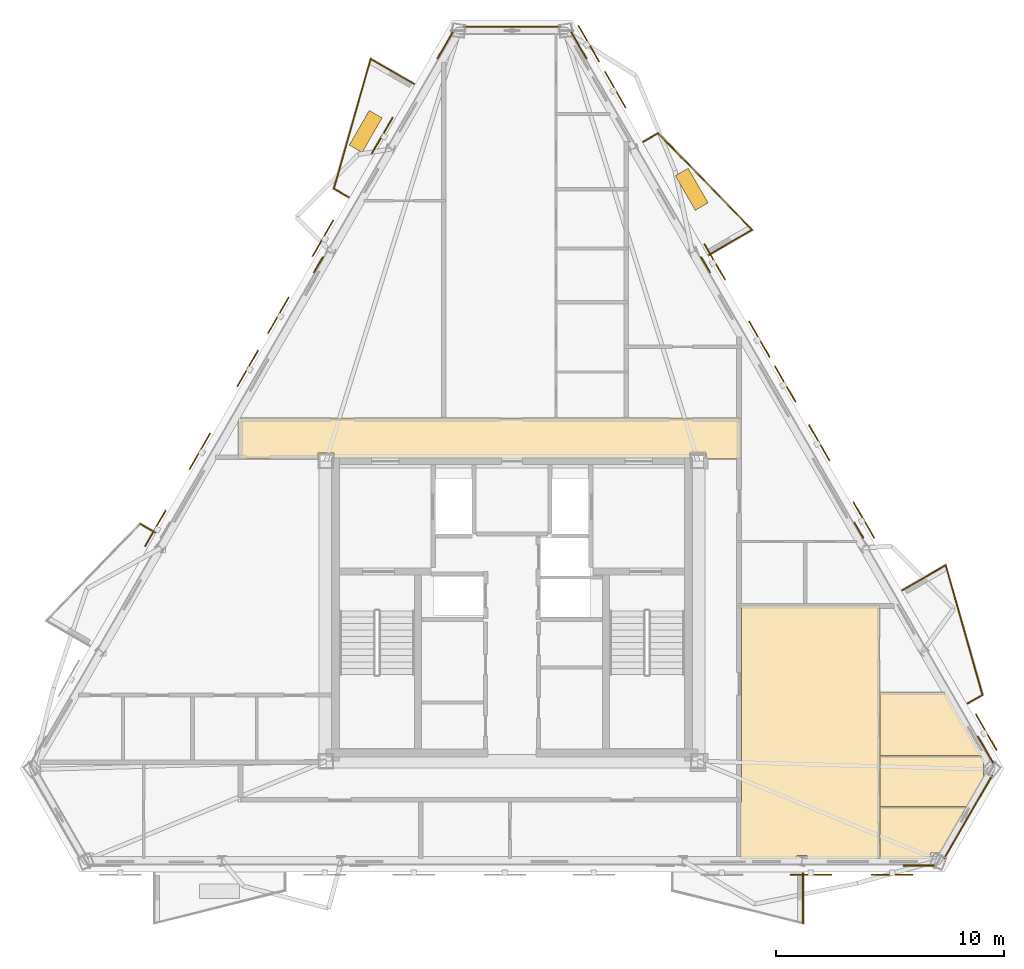
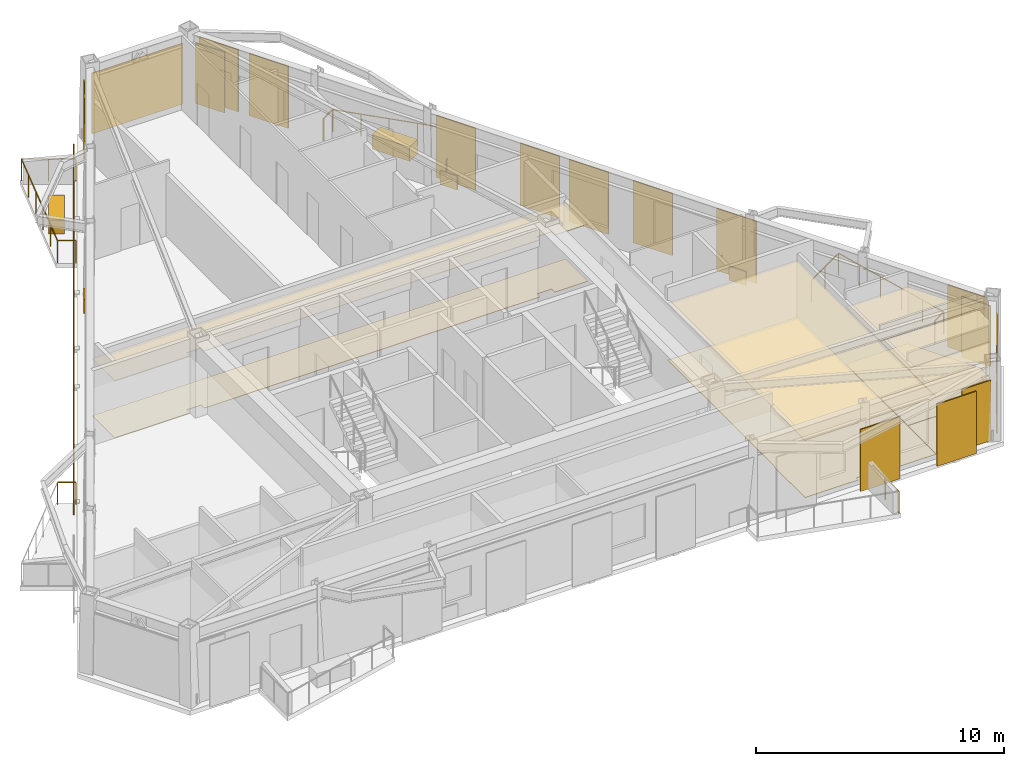
# One storey, part 9 of 9: 21 coverings, 16 shading devices, 11 railings.
"""IFC4 building model written with IfcOpenShell, lengths in metres."""

from ifc_helpers import new_model, si_unit, direction, frame, origin, origin_2d, place, context, subcontext, project, spatial, polyline, rectangle, circle, outline, extrude, material, layer, layer_set, type_object, element, save


model = new_model("IFC4")

# Units and contexts
model_context = context("Model", 3, precision=1e-05, world=origin(), true_north=direction((0.0, 1.0)))
body_context = subcontext(model_context, "Body", "Model", "MODEL_VIEW")
ifc_project = project(units=[si_unit("LENGTHUNIT", "METRE"), si_unit("AREAUNIT", "SQUARE_METRE"), si_unit("VOLUMEUNIT", "CUBIC_METRE"), si_unit("PLANEANGLEUNIT", "RADIAN"), si_unit("MASSUNIT", "GRAM", prefix="KILO")], contexts=[model_context])

# Site, building, storey
site_placement = place(None, origin())
site = spatial("IfcSite", under=ifc_project, at=site_placement, CompositionType="ELEMENT")
building_placement = place(site_placement, origin())
building = spatial("IfcBuilding", under=site, at=building_placement, Name="Oramaril Tower", CompositionType="ELEMENT")
storey_placement = place(building_placement, frame((0.0, 0.0, 273.300048828125)))
storey = spatial("IfcBuildingStorey", under=building, at=storey_placement, Name="L72", CompositionType="ELEMENT", Elevation=273.300048828125)

# Coverings
ifc_material_1 = material(Name="Mineral Fibre Acoustic Ceiling")
ifc_layer_1 = layer(ifc_material_1, 0.02001953125)
ifc_layer_set_1 = layer_set([ifc_layer_1], Name="CVT-CEIL")
covering_type_1 = type_object("IfcCoveringType", Name="CVT-CEIL", PredefinedType="CEILING", material=ifc_layer_set_1)
covering_1_placement = place(storey_placement, frame((0.0, 0.0, 2.81201171875)))
element("IfcCovering", 1, at=covering_1_placement, inside=storey, type_object=covering_type_1, Name="L72 Acoustic Suspended Ceiling 2", PredefinedType="CEILING", context=body_context, shape_type="SweptSolid", body=[
    extrude(outline(polyline([(47.530029296875, 24.239990234375), (45.9951171875, 24.239990234375), (45.9951171875, 24.4951171875), (45.304931640625, 24.4951171875), (45.304931640625, 24.25), (29.695068359375, 24.25), (29.695068359375, 24.4951171875), (29.0048828125, 24.4951171875), (29.0048828125, 24.239990234375), (25.52001953125, 24.239990234375), (25.52001953125, 26.050048828125), (47.530029296875, 26.050048828125), (47.530029296875, 24.239990234375)])), origin(), (0.0, 0.0, 1.0), 0.02001953125),
])
covering_2_placement = place(storey_placement, frame((0.0, 0.0, 2.81201171875)))
element("IfcCovering", 2, at=covering_2_placement, inside=storey, type_object=covering_type_1, Name="L72 Acoustic Suspended Ceiling 13", PredefinedType="CEILING", context=body_context, shape_type="SweptSolid", body=[
    extrude(outline(polyline([(53.60107421875, 17.842041015625), (53.60107421875, 6.7021484375), (50.4189453125, 6.7021484375), (50.4189453125, 6.859619140625), (49.989990234375, 6.859619140625), (49.989990234375, 6.7021484375), (47.511962890625, 6.7021484375), (47.511962890625, 9.199951171875), (47.530029296875, 9.199951171875), (47.531982421875, 9.2001953125), (47.533935546875, 9.200439453125), (47.535888671875, 9.200927734375), (47.53759765625, 9.201416015625), (47.539306640625, 9.202392578125), (47.541015625, 9.203369140625), (47.542724609375, 9.20458984375), (47.544189453125, 9.205810546875), (47.54541015625, 9.207275390625), (47.546630859375, 9.208984375), (47.547607421875, 9.210693359375), (47.548583984375, 9.21240234375), (47.549072265625, 9.214111328125), (47.549560546875, 9.216064453125), (47.5498046875, 9.218017578125), (47.550048828125, 9.219970703125), (47.550048828125, 11.030029296875), (47.5498046875, 11.031982421875), (47.549560546875, 11.033935546875), (47.549072265625, 11.035888671875), (47.548583984375, 11.03759765625), (47.547607421875, 11.039306640625), (47.54736328125, 11.0400390625), (47.547607421875, 11.04052734375), (47.548583984375, 11.042236328125), (47.549072265625, 11.044189453125), (47.549560546875, 11.046142578125), (47.5498046875, 11.048095703125), (47.550048828125, 11.050048828125), (47.550048828125, 17.842041015625), (53.60107421875, 17.842041015625)])), origin(), (0.0, 0.0, 1.0), 0.02001953125),
])
covering_3_placement = place(storey_placement, frame((0.0, 0.0, 2.81201171875)))
element("IfcCovering", 3, at=covering_3_placement, inside=storey, type_object=covering_type_1, Name="L72 Acoustic Suspended Ceiling 14", PredefinedType="CEILING", context=body_context, shape_type="SweptSolid", body=[
    extrude(outline(polyline([(56.265380859375, 6.97314453125), (55.851318359375, 6.97314453125), (55.851318359375, 6.7021484375), (53.62109375, 6.7021484375), (53.62109375, 8.99462890625), (57.4326171875, 8.99462890625), (56.265380859375, 6.97314453125)])), origin(), (0.0, 0.0, 1.0), 0.02001953125),
])
covering_4_placement = place(storey_placement, frame((0.0, 0.0, 2.81201171875)))
element("IfcCovering", 4, at=covering_4_placement, inside=storey, type_object=covering_type_1, Name="L72 Acoustic Suspended Ceiling 15", PredefinedType="CEILING", context=body_context, shape_type="SweptSolid", body=[
    extrude(outline(polyline([(58.22265625, 11.0029296875), (58.172607421875, 11.0029296875), (58.172607421875, 10.3134765625), (58.194091796875, 10.3134765625), (57.442626953125, 9.011962890625), (57.442138671875, 9.01220703125), (57.440185546875, 9.012939453125), (57.4384765625, 9.013671875), (57.4365234375, 9.01416015625), (57.4345703125, 9.014404296875), (57.4326171875, 9.0146484375), (53.62109375, 9.0146484375), (53.62109375, 11.219970703125), (58.097412109375, 11.219970703125), (58.22265625, 11.0029296875)])), origin(), (0.0, 0.0, 1.0), 0.02001953125),
])
covering_5_placement = place(storey_placement, frame((0.0, 0.0, 2.81201171875)))
element("IfcCovering", 5, at=covering_5_placement, inside=storey, type_object=covering_type_1, Name="L72 Acoustic Suspended Ceiling 16", PredefinedType="CEILING", context=body_context, shape_type="SweptSolid", body=[
    extrude(outline(polyline([(58.085693359375, 11.239990234375), (53.62109375, 11.239990234375), (53.62109375, 14.013916015625), (56.484375, 14.013916015625), (58.085693359375, 11.239990234375)])), origin(), (0.0, 0.0, 1.0), 0.02001953125),
])
ifc_material_2 = material(Name="Warm Cream Limestone", Category="masonry")
ifc_layer_2 = layer(ifc_material_2, 0.050048828125)
ifc_layer_set_2 = layer_set([ifc_layer_2], Name="CVT-CLD")
covering_type_2 = type_object("IfcCoveringType", Name="CVT-CLD", PredefinedType="CLADDING", material=ifc_layer_set_2)
covering_6_placement = place(storey_placement, frame((55.3212890625, 6.426025390625, 0.0400390625), z_axis=(0.0, 0.0, 1.0), x_axis=(1.0, 0.0, 0.0)))
element("IfcCovering", 6, at=covering_6_placement, inside=storey, type_object=covering_type_2, Name="L72 Warm Cream Limestone Cladding", PredefinedType="CLADDING", context=body_context, shape_type="SweptSolid", body=[
    extrude(rectangle(XDim=1.35009765625, YDim=0.050048828125, at=origin_2d()), origin(), (0.0, 0.0, 1.0), 2.97802734375),
])
covering_7_placement = place(storey_placement, frame((57.497314453125, 8.5546875, 0.0400390625), z_axis=(0.0, 0.0, 1.0), x_axis=(0.499995465495, 0.866028021766, 0.0)))
element("IfcCovering", 7, at=covering_7_placement, inside=storey, type_object=covering_type_2, Name="L72 Warm Cream Limestone Cladding", PredefinedType="CLADDING", context=body_context, shape_type="SweptSolid", body=[
    extrude(rectangle(XDim=4.221435546875, YDim=0.050048828125, at=origin_2d()), origin(), (0.0, 0.0, 1.0), 2.97802734375),
])
for number, where, z_axis, x_axis, name in (
    (8, (58.252685546875, 11.503173828125, 0.0400390625), (0.0, 0.0, 1.0), (-0.4999984885, 0.866026276448, 0.0), "L72 Warm Cream Limestone Cladding"),
    (9, (40.43115234375, 42.370849609375, 0.0400390625), (0.0, 0.0, 1.0), (-0.4999984885, 0.866026276448, 0.0), "L72 Warm Cream Limestone Cladding"),
):
    element("IfcCovering", number, at=place(storey_placement, frame(where, z_axis=z_axis, x_axis=x_axis)), inside=storey, type_object=covering_type_2, Name=name, PredefinedType="CLADDING", context=body_context, shape_type="SweptSolid", body=[
        extrude(rectangle(XDim=1.35009765625, YDim=0.050048828125, at=origin_2d()), origin(), (0.0, 0.0, 1.0), 2.97802734375),
    ])
for number, where, z_axis, x_axis, name in (
    (10, (52.70263671875, 21.11572265625, 0.0400390625), (0.0, 0.0, 1.0), (-0.4999984885, 0.866026276448, 0.0), "L72 Warm Cream Limestone Spandrel Cladding"),
    (11, (45.98095703125, 32.758056640625, 0.0400390625), (0.0, 0.0, 1.0), (-0.4999984885, 0.866026276448, 0.0), "L72 Warm Cream Limestone Spandrel Cladding"),
):
    element("IfcCovering", number, at=place(storey_placement, frame(where, z_axis=z_axis, x_axis=x_axis)), inside=storey, type_object=covering_type_2, Name=name, PredefinedType="CLADDING", context=body_context, shape_type="SweptSolid", body=[
        extrude(rectangle(XDim=0.800048828125, YDim=0.050048828125, at=origin_2d()), origin(), (0.0, 0.0, 1.0), 0.679931640625),
    ])
covering_8_placement = place(storey_placement, frame((37.5, 43.19091796875, 0.0400390625), z_axis=(0.0, 0.0, 1.0), x_axis=(-1.0, 0.0, 0.0)))
element("IfcCovering", 12, at=covering_8_placement, inside=storey, type_object=covering_type_2, Name="L72 Warm Cream Limestone Cladding", PredefinedType="CLADDING", context=body_context, shape_type="SweptSolid", body=[
    extrude(rectangle(XDim=4.221435546875, YDim=0.050048828125, at=origin_2d()), origin(), (0.0, 0.0, 1.0), 2.97802734375),
])
covering_9_placement = place(storey_placement, frame((34.56884765625, 42.370849609375, 0.0400390625), z_axis=(0.0, 0.0, 1.0), x_axis=(-0.4999984885, -0.866026276448, 0.0)))
element("IfcCovering", 13, at=covering_9_placement, inside=storey, type_object=covering_type_2, Name="L72 Warm Cream Limestone Cladding", PredefinedType="CLADDING", context=body_context, shape_type="SweptSolid", body=[
    extrude(rectangle(XDim=1.35009765625, YDim=0.050048828125, at=origin_2d()), origin(), (0.0, 0.0, 1.0), 2.97802734375),
])
covering_10_placement = place(storey_placement, frame((29.01904296875, 32.758056640625, 0.0400390625), z_axis=(0.0, 0.0, 1.0), x_axis=(-0.4999984885, -0.866026276448, 0.0)))
element("IfcCovering", 14, at=covering_10_placement, inside=storey, type_object=covering_type_2, Name="L72 Warm Cream Limestone Spandrel Cladding", PredefinedType="CLADDING", context=body_context, shape_type="SweptSolid", body=[
    extrude(rectangle(XDim=0.800048828125, YDim=0.050048828125, at=origin_2d()), origin(), (0.0, 0.0, 1.0), 0.679931640625),
])
for number, where, z_axis, x_axis, name in (
    (15, (45.375732421875, 36.063720703125, 0.0), (0.0, 0.0, 1.0), (-0.4999984885, 0.866026276448, 0.0), "L72 Structural Tree Planter Box L72-BAL-NE2"),
    (16, (31.086669921875, 38.5966796875, 0.0), (0.0, 0.0, 1.0), (-0.4999984885, -0.866026276448, 0.0), "L72 Structural Tree Planter Box L72-BAL-NW1"),
):
    element("IfcCovering", number, at=place(storey_placement, frame(where, z_axis=z_axis, x_axis=x_axis)), inside=storey, type_object=covering_type_2, Name=name, PredefinedType="CLADDING", context=body_context, shape_type="SweptSolid", body=[
        extrude(rectangle(XDim=1.75, YDim=0.64990234375, at=origin_2d()), origin(), (0.0, 0.0, 1.0), 0.699951171875),
    ])
ifc_material_3 = material(Name="Honed Quartzite Stone Flooring", Category="masonry")
ifc_layer_3 = layer(ifc_material_3, 0.02490234375)
ifc_layer_set_3 = layer_set([ifc_layer_3], Name="CVT-FLR")
covering_type_3 = type_object("IfcCoveringType", Name="CVT-FLR", PredefinedType="FLOORING", material=ifc_layer_set_3)
covering_11_placement = place(storey_placement, origin())
element("IfcCovering", 17, at=covering_11_placement, inside=storey, type_object=covering_type_3, Name="L72 Honed Stone Floor Finish 2", PredefinedType="FLOORING", context=body_context, shape_type="SweptSolid", body=[
    extrude(outline(polyline([(47.530029296875, 24.239990234375), (45.9951171875, 24.239990234375), (45.9951171875, 24.4951171875), (45.304931640625, 24.4951171875), (45.304931640625, 24.25), (29.695068359375, 24.25), (29.695068359375, 24.4951171875), (29.0048828125, 24.4951171875), (29.0048828125, 24.239990234375), (25.52001953125, 24.239990234375), (25.52001953125, 26.050048828125), (47.530029296875, 26.050048828125), (47.530029296875, 24.239990234375)])), origin(), (0.0, 0.0, 1.0), 0.02490234375),
])
covering_12_placement = place(storey_placement, origin())
element("IfcCovering", 18, at=covering_12_placement, inside=storey, type_object=covering_type_3, Name="L72 Honed Stone Floor Finish 13", PredefinedType="FLOORING", context=body_context, shape_type="SweptSolid", body=[
    extrude(outline(polyline([(53.60107421875, 17.842041015625), (53.60107421875, 6.7021484375), (50.4189453125, 6.7021484375), (50.4189453125, 6.859619140625), (49.989990234375, 6.859619140625), (49.989990234375, 6.7021484375), (47.511962890625, 6.7021484375), (47.511962890625, 9.199951171875), (47.530029296875, 9.199951171875), (47.531982421875, 9.2001953125), (47.533935546875, 9.200439453125), (47.535888671875, 9.200927734375), (47.53759765625, 9.201416015625), (47.539306640625, 9.202392578125), (47.541015625, 9.203369140625), (47.542724609375, 9.20458984375), (47.544189453125, 9.205810546875), (47.54541015625, 9.207275390625), (47.546630859375, 9.208984375), (47.547607421875, 9.210693359375), (47.548583984375, 9.21240234375), (47.549072265625, 9.214111328125), (47.549560546875, 9.216064453125), (47.5498046875, 9.218017578125), (47.550048828125, 9.219970703125), (47.550048828125, 11.030029296875), (47.5498046875, 11.031982421875), (47.549560546875, 11.033935546875), (47.549072265625, 11.035888671875), (47.548583984375, 11.03759765625), (47.547607421875, 11.039306640625), (47.54736328125, 11.0400390625), (47.547607421875, 11.04052734375), (47.548583984375, 11.042236328125), (47.549072265625, 11.044189453125), (47.549560546875, 11.046142578125), (47.5498046875, 11.048095703125), (47.550048828125, 11.050048828125), (47.550048828125, 17.842041015625), (53.60107421875, 17.842041015625)])), origin(), (0.0, 0.0, 1.0), 0.02490234375),
])
covering_13_placement = place(storey_placement, origin())
element("IfcCovering", 19, at=covering_13_placement, inside=storey, type_object=covering_type_3, Name="L72 Honed Stone Floor Finish 14", PredefinedType="FLOORING", context=body_context, shape_type="SweptSolid", body=[
    extrude(outline(polyline([(56.265380859375, 6.97314453125), (55.851318359375, 6.97314453125), (55.851318359375, 6.7021484375), (53.62109375, 6.7021484375), (53.62109375, 8.99462890625), (57.4326171875, 8.99462890625), (56.265380859375, 6.97314453125)])), origin(), (0.0, 0.0, 1.0), 0.02490234375),
])
covering_14_placement = place(storey_placement, origin())
element("IfcCovering", 20, at=covering_14_placement, inside=storey, type_object=covering_type_3, Name="L72 Honed Stone Floor Finish 15", PredefinedType="FLOORING", context=body_context, shape_type="SweptSolid", body=[
    extrude(outline(polyline([(58.22265625, 11.0029296875), (58.172607421875, 11.0029296875), (58.172607421875, 10.3134765625), (58.194091796875, 10.3134765625), (57.442626953125, 9.011962890625), (57.442138671875, 9.01220703125), (57.440185546875, 9.012939453125), (57.4384765625, 9.013671875), (57.4365234375, 9.01416015625), (57.4345703125, 9.014404296875), (57.4326171875, 9.0146484375), (53.62109375, 9.0146484375), (53.62109375, 11.219970703125), (58.097412109375, 11.219970703125), (58.22265625, 11.0029296875)])), origin(), (0.0, 0.0, 1.0), 0.02490234375),
])
covering_15_placement = place(storey_placement, origin())
element("IfcCovering", 21, at=covering_15_placement, inside=storey, type_object=covering_type_3, Name="L72 Honed Stone Floor Finish 16", PredefinedType="FLOORING", context=body_context, shape_type="SweptSolid", body=[
    extrude(outline(polyline([(58.085693359375, 11.239990234375), (53.62109375, 11.239990234375), (53.62109375, 14.013916015625), (56.484375, 14.013916015625), (58.085693359375, 11.239990234375)])), origin(), (0.0, 0.0, 1.0), 0.02490234375),
])

# Railings
ifc_material_4 = material(Name="Stainless Steel 316L", Category="steel")
railing_type = type_object("IfcRailingType", Name="RLT-GRD", PredefinedType="GUARDRAIL", material=ifc_material_4)
railing_1_placement = place(storey_placement, frame((50.251953125, 6.086181640625, 0.0)))
element("IfcRailing", 22, at=railing_1_placement, inside=storey, type_object=railing_type, Name="L72 Balcony Guardrail L72-BAL-S2.1", PredefinedType="GUARDRAIL", context=body_context, shape_type="SweptSolid", body=[
    extrude(circle(Radius=0.02392578125, at=origin_2d()), frame((0.0, 0.0, 1.076171875), z_axis=(0.0, -1.0, 0.0), x_axis=(1.0, 0.0, 0.0)), (0.0, 0.0, 1.0), 2.192138671875),
    extrude(circle(Radius=0.02099609375, at=origin_2d()), origin(), (0.0, 0.0, 1.0), 1.052001953125),
    extrude(circle(Radius=0.02099609375, at=origin_2d()), frame((0.0, -1.09619140625, 0.0)), (0.0, 0.0, 1.0), 1.052001953125),
    extrude(circle(Radius=0.02099609375, at=origin_2d()), frame((0.0, -2.192138671875, 0.0)), (0.0, 0.0, 1.0), 1.052001953125),
])
railing_2_placement = place(storey_placement, frame((54.60986328125, 18.492431640625, 0.0)))
element("IfcRailing", 23, at=railing_2_placement, inside=storey, type_object=railing_type, Name="L72 Balcony Guardrail L72-BAL-NE1.1", PredefinedType="GUARDRAIL", context=body_context, shape_type="SweptSolid", body=[
    extrude(circle(Radius=0.02392578125, at=origin_2d()), frame((0.0, 0.0, 1.076171875), z_axis=(0.866048343933, 0.499960264392, 0.0), x_axis=(-0.499960264392, 0.866048343933, 0.0)), (0.0, 0.0, 1.0), 2.192138671875),
    extrude(circle(Radius=0.02099609375, at=origin_2d()), origin(), (0.0, 0.0, 1.0), 1.052001953125),
    extrude(circle(Radius=0.02099609375, at=origin_2d()), frame((0.94921875, 0.5478515625, 0.0)), (0.0, 0.0, 1.0), 1.052001953125),
    extrude(circle(Radius=0.02099609375, at=origin_2d()), frame((1.8984375, 1.095947265625, 0.0)), (0.0, 0.0, 1.0), 1.052001953125),
])
railing_3_placement = place(storey_placement, frame((56.50830078125, 19.58837890625, 0.0)))
element("IfcRailing", 24, at=railing_3_placement, inside=storey, type_object=railing_type, Name="L72 Balcony Guardrail L72-BAL-NE1.2", PredefinedType="GUARDRAIL", context=body_context, shape_type="SweptSolid", body=[
    extrude(circle(Radius=0.02392578125, at=origin_2d()), frame((0.0, 0.0, 1.076171875), z_axis=(0.272259686627, -0.962223811303, 0.0), x_axis=(0.962223811303, 0.272259686627, 0.0)), (0.0, 0.0, 1.0), 5.910400390625),
    extrude(circle(Radius=0.02099609375, at=origin_2d()), origin(), (0.0, 0.0, 1.0), 1.052001953125),
    extrude(circle(Radius=0.02099609375, at=origin_2d()), frame((0.32177734375, -1.137451171875, 0.0)), (0.0, 0.0, 1.0), 1.052001953125),
    extrude(circle(Radius=0.02099609375, at=origin_2d()), frame((0.6435546875, -2.27490234375, 0.0)), (0.0, 0.0, 1.0), 1.052001953125),
    extrude(circle(Radius=0.02099609375, at=origin_2d()), frame((0.965576171875, -3.412109375, 0.0)), (0.0, 0.0, 1.0), 1.052001953125),
    extrude(circle(Radius=0.02099609375, at=origin_2d()), frame((1.287353515625, -4.549560546875, 0.0)), (0.0, 0.0, 1.0), 1.052001953125),
    extrude(circle(Radius=0.02099609375, at=origin_2d()), frame((1.609130859375, -5.68701171875, 0.0)), (0.0, 0.0, 1.0), 1.052001953125),
])
railing_4_placement = place(storey_placement, frame((58.117431640625, 13.9013671875, 0.0)))
element("IfcRailing", 25, at=railing_4_placement, inside=storey, type_object=railing_type, Name="L72 Balcony Guardrail L72-BAL-NE1.3", PredefinedType="GUARDRAIL", context=body_context, shape_type="SweptSolid", body=[
    extrude(circle(Radius=0.02392578125, at=origin_2d()), frame((0.0, 0.0, 1.076171875), z_axis=(-0.865966403178, -0.500102178127, 0.0), x_axis=(0.500102178127, -0.865966403178, 0.0)), (0.0, 0.0, 1.0), 0.741943359375),
    extrude(circle(Radius=0.02099609375, at=origin_2d()), origin(), (0.0, 0.0, 1.0), 1.052001953125),
    extrude(circle(Radius=0.02099609375, at=origin_2d()), frame((-0.642578125, -0.37109375, 0.0)), (0.0, 0.0, 1.0), 1.052001953125),
])
railing_5_placement = place(storey_placement, frame((43.260498046875, 38.150390625, 0.0)))
element("IfcRailing", 26, at=railing_5_placement, inside=storey, type_object=railing_type, Name="L72 Balcony Guardrail L72-BAL-NE2.1", PredefinedType="GUARDRAIL", context=body_context, shape_type="SweptSolid", body=[
    extrude(circle(Radius=0.02392578125, at=origin_2d()), frame((0.0, 0.0, 1.076171875), z_axis=(0.865884080729, 0.500244698863, 0.0), x_axis=(-0.500244698863, 0.865884080729, 0.0)), (0.0, 0.0, 1.0), 0.741943359375),
    extrude(circle(Radius=0.02099609375, at=origin_2d()), origin(), (0.0, 0.0, 1.0), 1.052001953125),
    extrude(circle(Radius=0.02099609375, at=origin_2d()), frame((0.642333984375, 0.37109375, 0.0)), (0.0, 0.0, 1.0), 1.052001953125),
])
railing_6_placement = place(storey_placement, frame((43.90283203125, 38.521484375, 0.0)))
element("IfcRailing", 27, at=railing_6_placement, inside=storey, type_object=railing_type, Name="L72 Balcony Guardrail L72-BAL-NE2.2", PredefinedType="GUARDRAIL", context=body_context, shape_type="SweptSolid", body=[
    extrude(circle(Radius=0.02392578125, at=origin_2d()), frame((0.0, 0.0, 1.076171875), z_axis=(0.697186915353, -0.716889395277, 0.0), x_axis=(0.716889395277, 0.697186915353, 0.0)), (0.0, 0.0, 1.0), 5.91064453125),
    extrude(circle(Radius=0.02099609375, at=origin_2d()), origin(), (0.0, 0.0, 1.0), 1.052001953125),
    extrude(circle(Radius=0.02099609375, at=origin_2d()), frame((0.82421875, -0.847412109375, 0.0)), (0.0, 0.0, 1.0), 1.052001953125),
    extrude(circle(Radius=0.02099609375, at=origin_2d()), frame((1.6484375, -1.69482421875, 0.0)), (0.0, 0.0, 1.0), 1.052001953125),
    extrude(circle(Radius=0.02099609375, at=origin_2d()), frame((2.472412109375, -2.54248046875, 0.0)), (0.0, 0.0, 1.0), 1.052001953125),
    extrude(circle(Radius=0.02099609375, at=origin_2d()), frame((3.296630859375, -3.389892578125, 0.0)), (0.0, 0.0, 1.0), 1.052001953125),
    extrude(circle(Radius=0.02099609375, at=origin_2d()), frame((4.120849609375, -4.2373046875, 0.0)), (0.0, 0.0, 1.0), 1.052001953125),
])
railing_7_placement = place(storey_placement, frame((48.023681640625, 34.2841796875, 0.0)))
element("IfcRailing", 28, at=railing_7_placement, inside=storey, type_object=railing_type, Name="L72 Balcony Guardrail L72-BAL-NE2.3", PredefinedType="GUARDRAIL", context=body_context, shape_type="SweptSolid", body=[
    extrude(circle(Radius=0.02392578125, at=origin_2d()), frame((0.0, 0.0, 1.076171875), z_axis=(-0.866020500697, -0.5000084923, 0.0), x_axis=(0.5000084923, -0.866020500697, 0.0)), (0.0, 0.0, 1.0), 2.19189453125),
    extrude(circle(Radius=0.02099609375, at=origin_2d()), origin(), (0.0, 0.0, 1.0), 1.052001953125),
    extrude(circle(Radius=0.02099609375, at=origin_2d()), frame((-0.94921875, -0.5478515625, 0.0)), (0.0, 0.0, 1.0), 1.052001953125),
    extrude(circle(Radius=0.02099609375, at=origin_2d()), frame((-1.898193359375, -1.095947265625, 0.0)), (0.0, 0.0, 1.0), 1.052001953125),
])
railing_8_placement = place(storey_placement, frame((30.337158203125, 35.721435546875, 0.0)))
element("IfcRailing", 29, at=railing_8_placement, inside=storey, type_object=railing_type, Name="L72 Balcony Guardrail L72-BAL-NW1.1", PredefinedType="GUARDRAIL", context=body_context, shape_type="SweptSolid", body=[
    extrude(circle(Radius=0.02392578125, at=origin_2d()), frame((0.0, 0.0, 1.076171875), z_axis=(-0.866108878364, 0.499855389907, 0.0), x_axis=(-0.499855389907, -0.866108878364, 0.0)), (0.0, 0.0, 1.0), 0.741943359375),
    extrude(circle(Radius=0.02099609375, at=origin_2d()), origin(), (0.0, 0.0, 1.0), 1.052001953125),
    extrude(circle(Radius=0.02099609375, at=origin_2d()), frame((-0.642578125, 0.370849609375, 0.0)), (0.0, 0.0, 1.0), 1.052001953125),
])
railing_9_placement = place(storey_placement, frame((29.694580078125, 36.09228515625, 0.0)))
element("IfcRailing", 30, at=railing_9_placement, inside=storey, type_object=railing_type, Name="L72 Balcony Guardrail L72-BAL-NW1.2", PredefinedType="GUARDRAIL", context=body_context, shape_type="SweptSolid", body=[
    extrude(circle(Radius=0.02392578125, at=origin_2d()), frame((0.0, 0.0, 1.076171875), z_axis=(0.27224886544, 0.962226873074, 0.0), x_axis=(-0.962226873074, 0.27224886544, 0.0)), (0.0, 0.0, 1.0), 5.910400390625),
    extrude(circle(Radius=0.02099609375, at=origin_2d()), origin(), (0.0, 0.0, 1.0), 1.052001953125),
    extrude(circle(Radius=0.02099609375, at=origin_2d()), frame((0.32177734375, 1.137451171875, 0.0)), (0.0, 0.0, 1.0), 1.052001953125),
    extrude(circle(Radius=0.02099609375, at=origin_2d()), frame((0.6435546875, 2.27490234375, 0.0)), (0.0, 0.0, 1.0), 1.052001953125),
    extrude(circle(Radius=0.02099609375, at=origin_2d()), frame((0.965576171875, 3.412353515625, 0.0)), (0.0, 0.0, 1.0), 1.052001953125),
    extrude(circle(Radius=0.02099609375, at=origin_2d()), frame((1.287353515625, 4.5498046875, 0.0)), (0.0, 0.0, 1.0), 1.052001953125),
    extrude(circle(Radius=0.02099609375, at=origin_2d()), frame((1.609130859375, 5.687255859375, 0.0)), (0.0, 0.0, 1.0), 1.052001953125),
])
railing_10_placement = place(storey_placement, frame((31.3037109375, 41.779541015625, 0.0)))
element("IfcRailing", 31, at=railing_10_placement, inside=storey, type_object=railing_type, Name="L72 Balcony Guardrail L72-BAL-NW1.3", PredefinedType="GUARDRAIL", context=body_context, shape_type="SweptSolid", body=[
    extrude(circle(Radius=0.02392578125, at=origin_2d()), frame((0.0, 0.0, 1.076171875), z_axis=(0.866048343933, -0.499960264392, 0.0), x_axis=(0.499960264392, 0.866048343933, 0.0)), (0.0, 0.0, 1.0), 2.192138671875),
    extrude(circle(Radius=0.02099609375, at=origin_2d()), origin(), (0.0, 0.0, 1.0), 1.052001953125),
    extrude(circle(Radius=0.02099609375, at=origin_2d()), frame((0.94921875, -0.5478515625, 0.0)), (0.0, 0.0, 1.0), 1.052001953125),
    extrude(circle(Radius=0.02099609375, at=origin_2d()), frame((1.8984375, -1.095947265625, 0.0)), (0.0, 0.0, 1.0), 1.052001953125),
])
railing_11_placement = place(storey_placement, frame((21.210205078125, 21.396728515625, 0.0)))
element("IfcRailing", 32, at=railing_11_placement, inside=storey, type_object=railing_type, Name="L72 Balcony Guardrail L72-BAL-NW2.3", PredefinedType="GUARDRAIL", context=body_context, shape_type="SweptSolid", body=[
    extrude(circle(Radius=0.02392578125, at=origin_2d()), frame((0.0, 0.0, 1.076171875), z_axis=(0.865884080729, -0.500244698863, 0.0), x_axis=(0.500244698863, 0.865884080729, 0.0)), (0.0, 0.0, 1.0), 0.741943359375),
    extrude(circle(Radius=0.02099609375, at=origin_2d()), origin(), (0.0, 0.0, 1.0), 1.052001953125),
    extrude(circle(Radius=0.02099609375, at=origin_2d()), frame((0.642333984375, -0.37109375, 0.0)), (0.0, 0.0, 1.0), 1.052001953125),
])

# Shading devices
for number, where, z_axis, x_axis, name in (
    (33, (50.602294921875, 6.01416015625, -0.02001953125), (0.0, 0.0, 1.0), (1.0, 0.0, 0.0), "L72 Perforated Ceramic Solar Screen"),
    (34, (54.15625, 6.01416015625, -0.02001953125), (0.0, 0.0, 1.0), (1.0, 0.0, 0.0), "L72 Perforated Ceramic Solar Screen"),
    (35, (58.28369140625, 12.27294921875, -0.02001953125), (0.0, 0.0, 1.0), (-0.4999984885, 0.866026276448, 0.0), "L72 Perforated Ceramic Solar Screen"),
    (36, (52.915283203125, 21.5712890625, -0.02001953125), (0.0, 0.0, 1.0), (-0.4999984885, 0.866026276448, 0.0), "L72 Perforated Ceramic Solar Screen"),
    (37, (50.96533203125, 24.948974609375, -0.02001953125), (0.0, 0.0, 1.0), (-0.4999984885, 0.866026276448, 0.0), "L72 Perforated Ceramic Solar Screen"),
    (38, (49.4775390625, 27.52587890625, -0.02001953125), (0.0, 0.0, 1.0), (-0.4999984885, 0.866026276448, 0.0), "L72 Perforated Ceramic Solar Screen"),
    (39, (42.028564453125, 40.427978515625, -0.02001953125), (0.0, 0.0, 1.0), (-0.4999984885, 0.866026276448, 0.0), "L72 Perforated Ceramic Solar Screen"),
    (40, (40.865478515625, 42.4423828125, -0.02001953125), (0.0, 0.0, 1.0), (-0.4999984885, 0.866026276448, 0.0), "L72 Perforated Ceramic Solar Screen"),
    (41, (48.339599609375, 29.496826171875, -0.02001953125), (0.0, 0.0, 1.0), (-0.4999984885, 0.866026276448, 0.0), "L72 Perforated Ceramic Solar Screen"),
    (42, (46.3896484375, 32.87451171875, -0.02001953125), (0.0, 0.0, 1.0), (-0.4999984885, 0.866026276448, 0.0), "L72 Perforated Ceramic Solar Screen"),
    (43, (23.8212890625, 24.579345703125, -0.02001953125), (0.0, 0.0, 1.0), (-0.4999984885, -0.866026276448, 0.0), "L72 Perforated Ceramic Solar Screen"),
    (44, (21.871337890625, 21.201904296875, -0.02001953125), (0.0, 0.0, 1.0), (-0.4999984885, -0.866026276448, 0.0), "L72 Perforated Ceramic Solar Screen"),
    (45, (29.213623046875, 33.91943359375, -0.02001953125), (0.0, 0.0, 1.0), (-0.4999984885, -0.866026276448, 0.0), "L72 Perforated Ceramic Solar Screen"),
    (46, (27.263671875, 30.5419921875, -0.02001953125), (0.0, 0.0, 1.0), (-0.4999984885, -0.866026276448, 0.0), "L72 Perforated Ceramic Solar Screen"),
    (47, (25.91943359375, 28.213623046875, -0.02001953125), (0.0, 0.0, 1.0), (-0.4999984885, -0.866026276448, 0.0), "L72 Perforated Ceramic Solar Screen"),
    (48, (31.8115234375, 38.419189453125, -0.02001953125), (0.0, 0.0, 1.0), (-0.4999984885, -0.866026276448, 0.0), "L72 Perforated Ceramic Solar Screen"),
):
    element("IfcShadingDevice", number, at=place(storey_placement, frame(where, z_axis=z_axis, x_axis=x_axis)), inside=storey, Name=name, ObjectType="SCREEN", PredefinedType="USERDEFINED", context=body_context, shape_type="SweptSolid", body=[
        extrude(rectangle(XDim=1.8330078125, YDim=0.050048828125, at=origin_2d()), origin(), (0.0, 0.0, 1.0), 3.05810546875),
    ])

save(model, "model.ifc")
